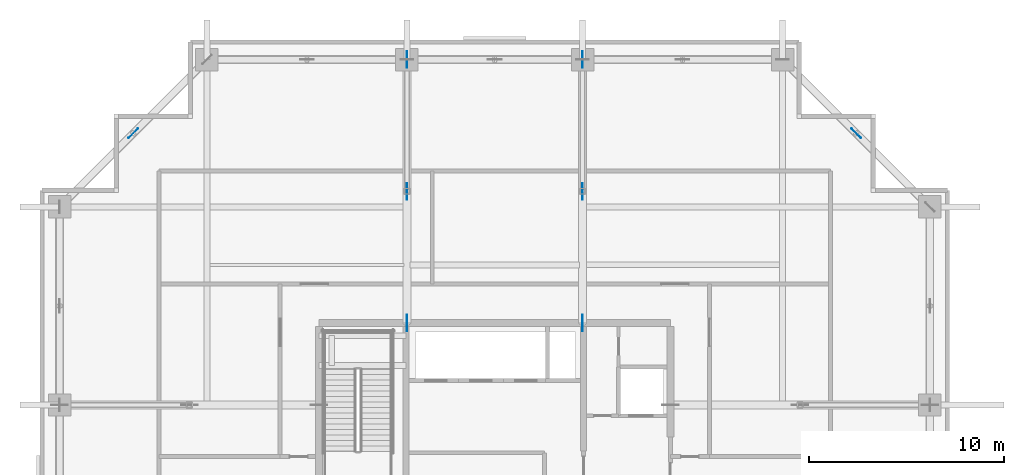
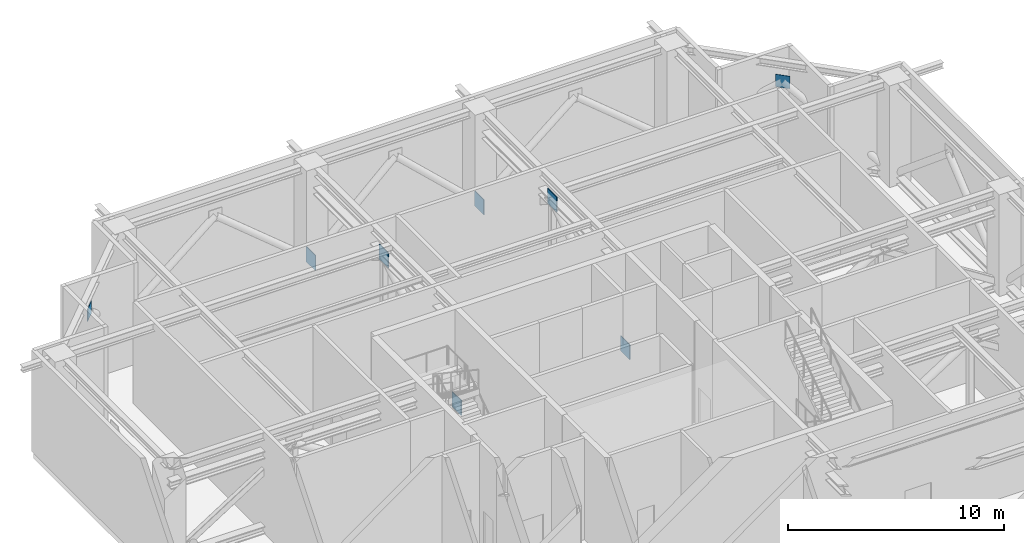
# One storey, part 10 of 22: 8 plates.
"""IFC4 building model written with IfcOpenShell, lengths in metres."""

from ifc_helpers import new_model, si_unit, direction, frame, origin, origin_2d, place, context, subcontext, project, spatial, rectangle, extrude, source, transform, mapped, material, layer, layer_set, type_object, element, save


model = new_model("IFC4")

# Units and contexts
model_context = context("Model", 3, precision=1e-05, world=origin(), true_north=direction((0.0, 1.0)))
body_context = subcontext(model_context, "Body", "Model", "MODEL_VIEW")
ifc_project = project(units=[si_unit("LENGTHUNIT", "METRE"), si_unit("AREAUNIT", "SQUARE_METRE"), si_unit("VOLUMEUNIT", "CUBIC_METRE"), si_unit("PLANEANGLEUNIT", "RADIAN"), si_unit("MASSUNIT", "GRAM", prefix="KILO")], contexts=[model_context])

# Site, building, storey
site_placement = place(None, origin())
site = spatial("IfcSite", under=ifc_project, at=site_placement, CompositionType="ELEMENT")
building_placement = place(site_placement, origin())
building = spatial("IfcBuilding", under=site, at=building_placement, Name="Serunith Strait Residences", CompositionType="ELEMENT")
storey_placement = place(building_placement, frame((0.0, 0.0, 287.449951171875)))
storey = spatial("IfcBuildingStorey", under=building, at=storey_placement, Name="L72", CompositionType="ELEMENT", Elevation=287.449951171875)

# Plates
ifc_material = material(Name="Steel S460M", Category="steel")
ifc_layer_1 = layer(ifc_material, 0.031982421875, Name="Steel S460M")
ifc_layer_set_1 = layer_set([ifc_layer_1], Name="Steel S460M")
plate_type_1 = type_object("IfcPlateType", Name="PLT-GUSSET-32", PredefinedType="USERDEFINED", material=ifc_layer_set_1)
shared_shape_1 = source(origin(), body_context, "Body", "SweptSolid", [
    extrude(rectangle(XDim=0.85009765625, YDim=0.0400390625, at=origin_2d()), origin(), (0.0, 0.0, 1.0), 0.85009765625),
])
for number, where, z_axis, x_axis, name in (
    (1, (27.89990234375, 33.60009765625, -0.175048828125), (0.0, 0.0, 1.0), (0.0, 1.0, 0.0), "L72 Outrigger Gusset Plate ND-09"),
    (2, (27.89990234375, 40.35009765625, 4.06494140625), (0.0, 0.0, 1.0), (0.0, 1.0, 0.0), "L72 Outrigger Gusset Plate ND-09"),
    (3, (27.89990234375, 47.10009765625, -0.175048828125), (0.0, 0.0, 1.0), (0.0, 1.0, 0.0), "L72 Outrigger Gusset Plate ND-09"),
    (4, (36.89990234375, 33.60009765625, -0.175048828125), (0.0, 0.0, 1.0), (0.0, 1.0, 0.0), "L72 Outrigger Gusset Plate ND-09"),
    (5, (36.89990234375, 40.35009765625, 4.06494140625), (0.0, 0.0, 1.0), (0.0, 1.0, 0.0), "L72 Outrigger Gusset Plate ND-09"),
    (6, (36.89990234375, 47.10009765625, -0.175048828125), (0.0, 0.0, 1.0), (0.0, 1.0, 0.0), "L72 Outrigger Gusset Plate ND-09"),
):
    element("IfcPlate", number, at=place(storey_placement, frame(where, z_axis=z_axis, x_axis=x_axis)), inside=storey, type_object=plate_type_1, Name=name, ObjectType="GUSSET_PLATE", PredefinedType="USERDEFINED", context=body_context, shape_type="MappedRepresentation", body=[
        mapped(shared_shape_1, transform((0.0, 0.0, 0.0), scale=1.0)),
    ])
ifc_layer_2 = layer(ifc_material, 0.02490234375, Name="Steel S460M")
ifc_layer_set_2 = layer_set([ifc_layer_2], Name="Steel S460M")
plate_type_2 = type_object("IfcPlateType", Name="PLT-CAP-25", PredefinedType="SHEET", material=ifc_layer_set_2)
shared_shape_2 = source(origin(), body_context, "Body", "SweptSolid", [
    extrude(rectangle(XDim=0.699951171875, YDim=0.02490234375, at=origin_2d()), origin(), (0.0, 0.0, 1.0), 0.699951171875),
])
for number, where, z_axis, x_axis, name in (
    (7, (50.925048828125, 43.324951171875, 4.14013671875), (0.0, 0.0, 1.0), (-0.707106781187, 0.707106781187, 0.0), "L72 Belt Truss Apex Gusset 08"),
    (8, (13.875, 43.324951171875, 4.14013671875), (0.0, 0.0, 1.0), (-0.707106781187, -0.707106781187, 0.0), "L72 Belt Truss Apex Gusset 12"),
):
    element("IfcPlate", number, at=place(storey_placement, frame(where, z_axis=z_axis, x_axis=x_axis)), inside=storey, type_object=plate_type_2, Name=name, PredefinedType="SHEET", context=body_context, shape_type="MappedRepresentation", body=[
        mapped(shared_shape_2, transform((0.0, 0.0, 0.0), scale=1.0)),
    ])

save(model, "model.ifc")
